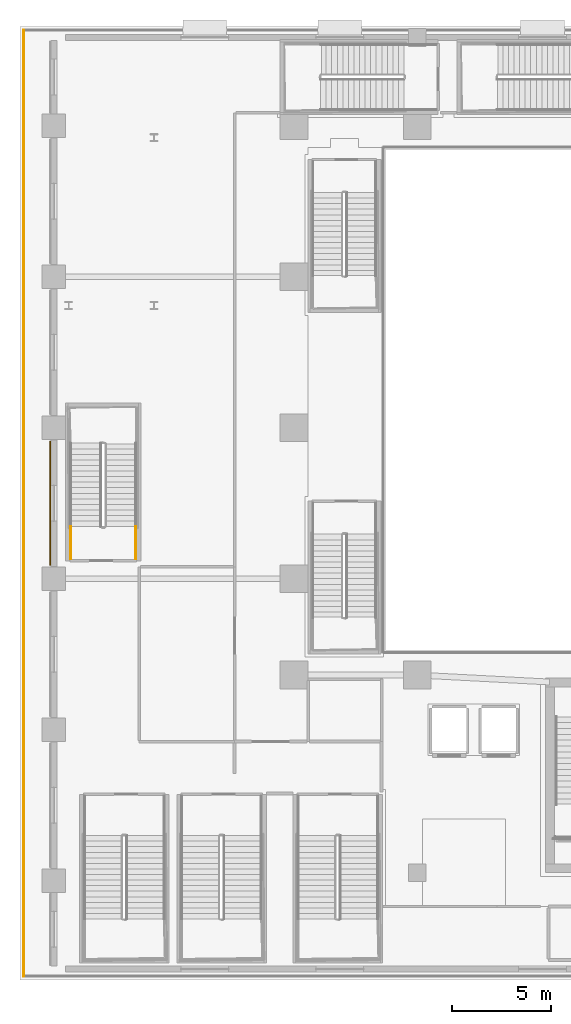
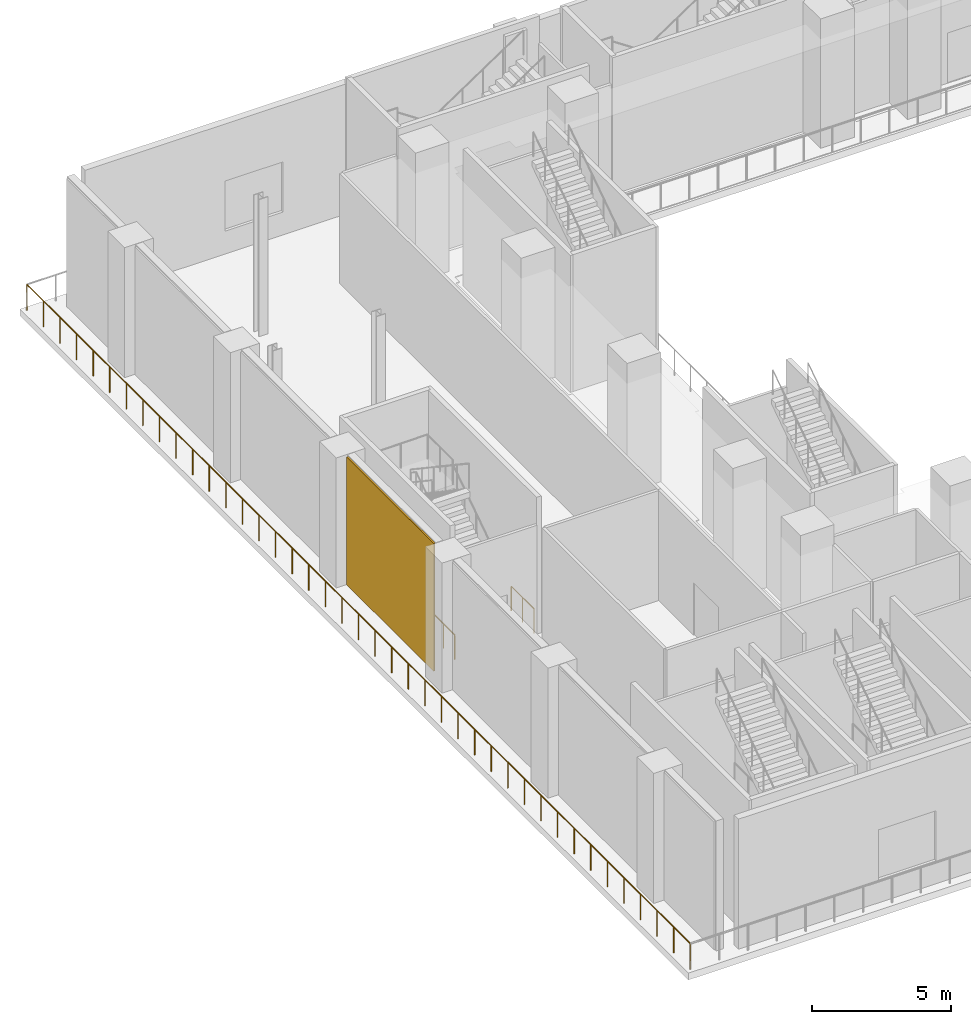
# One storey, part 17 of 29: 3 railings, 1 covering.
"""IFC4 building model written with IfcOpenShell, lengths in metres."""

from ifc_helpers import new_model, si_unit, direction, frame, origin, origin_2d, place, context, subcontext, project, spatial, rectangle, circle, extrude, material, layer, layer_set, type_object, element, save


model = new_model("IFC4")

# Units and contexts
model_context = context("Model", 3, precision=1e-05, world=origin(), true_north=direction((0.0, 1.0)))
body_context = subcontext(model_context, "Body", "Model", "MODEL_VIEW")
ifc_project = project(units=[si_unit("LENGTHUNIT", "METRE"), si_unit("AREAUNIT", "SQUARE_METRE"), si_unit("VOLUMEUNIT", "CUBIC_METRE"), si_unit("PLANEANGLEUNIT", "RADIAN"), si_unit("MASSUNIT", "GRAM", prefix="KILO")], contexts=[model_context])

# Site, building, storey
site_placement = place(None, origin())
site = spatial("IfcSite", under=ifc_project, at=site_placement, CompositionType="ELEMENT")
building_placement = place(site_placement, origin())
building = spatial("IfcBuilding", under=site, at=building_placement, Name="Ndaravel Arena Tower", CompositionType="ELEMENT")
storey_placement = place(building_placement, frame((0.0, 0.0, 12.0)))
storey = spatial("IfcBuildingStorey", under=building, at=storey_placement, Name="L02", CompositionType="ELEMENT", Elevation=12.0)

# Covering
ifc_material_1 = material(Name="Masonry", Category="masonry")
ifc_layer_1 = layer(ifc_material_1, 0.06005859375)
ifc_layer_set_1 = layer_set([ifc_layer_1], Name="Masonry")
covering_type = type_object("IfcCoveringType", Name="COV-STONE-CLAD", PredefinedType="CLADDING", material=ifc_layer_set_1)
covering_placement = place(storey_placement, frame((1.52001953125, 24.0, 0.050048828125), z_axis=(0.0, 0.0, 1.0), x_axis=(1.0, 0.0, 0.0)))
element("IfcCovering", 1, at=covering_placement, inside=storey, type_object=covering_type, Name="L02 Honed Mazeras Ashlar Panel W4", PredefinedType="CLADDING", context=body_context, shape_type="SweptSolid", body=[
    extrude(rectangle(XDim=0.06005859375, YDim=6.260009765625, at=origin_2d()), origin(), (0.0, 0.0, 1.0), 5.60009765625),
])

# Railings
ifc_material_2 = material(Name="Steel S355", Category="steel")
ifc_layer_2 = layer(ifc_material_2, 0.06005859375)
ifc_layer_set_2 = layer_set([ifc_layer_2], Name="Steel S355")
railing_type_1 = type_object("IfcRailingType", Name="RAIL-STAIR-GD1100", PredefinedType="GUARDRAIL", material=ifc_layer_set_2)
for number, where, name in (
    (2, (5.830078125, 21.199951171875, 0.0), "L02 ST-A07 stair guard 5"),
    (3, (2.550048828125, 21.199951171875, 0.0), "L02 ST-A07 stair guard 6"),
):
    element("IfcRailing", number, at=place(storey_placement, frame(where)), inside=storey, type_object=railing_type_1, Name=name, PredefinedType="GUARDRAIL", context=body_context, shape_type="SweptSolid", body=[
        extrude(circle(Radius=0.02392578125, at=origin_2d()), frame((0.0, 0.0, 1.076171875), z_axis=(0.0, 1.0, 0.0), x_axis=(-1.0, 0.0, 0.0)), (0.0, 0.0, 1.0), 1.6201171875),
        extrude(circle(Radius=0.02099609375, at=origin_2d()), origin(), (0.0, 0.0, 1.0), 1.052001953125),
        extrude(circle(Radius=0.02099609375, at=origin_2d()), frame((0.0, 0.81005859375, 0.0)), (0.0, 0.0, 1.0), 1.052001953125),
        extrude(circle(Radius=0.02099609375, at=origin_2d()), frame((0.0, 1.6201171875, 0.0)), (0.0, 0.0, 1.0), 1.052001953125),
    ])
ifc_material_3 = material(Name="Glazing", Category="glass")
ifc_layer_3 = layer(ifc_material_3, 0.070068359375)
ifc_layer_set_3 = layer_set([ifc_layer_3], Name="Glazing")
railing_type_2 = type_object("IfcRailingType", Name="RAIL-TERRACE-1150", PredefinedType="BALUSTRADE", material=ifc_layer_set_3)
railing_placement = place(storey_placement, frame((0.179931640625, 47.820068359375, 0.0)))
element("IfcRailing", 4, at=railing_placement, inside=storey, type_object=railing_type_2, Name="L02 Podium Perimeter Edge Guard 4", PredefinedType="BALUSTRADE", context=body_context, shape_type="SweptSolid", body=[
    extrude(circle(Radius=0.02392578125, at=origin_2d()), frame((0.0, 0.0, 1.1259765625), z_axis=(0.0, -1.0, 0.0), x_axis=(1.0, 0.0, 0.0)), (0.0, 0.0, 1.0), 47.64013671875),
    extrude(circle(Radius=0.02099609375, at=origin_2d()), origin(), (0.0, 0.0, 1.0), 1.101806640625),
    extrude(circle(Radius=0.02099609375, at=origin_2d()), frame((0.0, -1.19091796875, 0.0)), (0.0, 0.0, 1.0), 1.101806640625),
    extrude(circle(Radius=0.02099609375, at=origin_2d()), frame((0.0, -2.382080078125, 0.0)), (0.0, 0.0, 1.0), 1.101806640625),
    extrude(circle(Radius=0.02099609375, at=origin_2d()), frame((0.0, -3.572998046875, 0.0)), (0.0, 0.0, 1.0), 1.101806640625),
    extrude(circle(Radius=0.02099609375, at=origin_2d()), frame((0.0, -4.763916015625, 0.0)), (0.0, 0.0, 1.0), 1.101806640625),
    extrude(circle(Radius=0.02099609375, at=origin_2d()), frame((0.0, -5.955078125, 0.0)), (0.0, 0.0, 1.0), 1.101806640625),
    extrude(circle(Radius=0.02099609375, at=origin_2d()), frame((0.0, -7.14599609375, 0.0)), (0.0, 0.0, 1.0), 1.101806640625),
    extrude(circle(Radius=0.02099609375, at=origin_2d()), frame((0.0, -8.3369140625, 0.0)), (0.0, 0.0, 1.0), 1.101806640625),
    extrude(circle(Radius=0.02099609375, at=origin_2d()), frame((0.0, -9.528076171875, 0.0)), (0.0, 0.0, 1.0), 1.101806640625),
    extrude(circle(Radius=0.02099609375, at=origin_2d()), frame((0.0, -10.718994140625, 0.0)), (0.0, 0.0, 1.0), 1.101806640625),
    extrude(circle(Radius=0.02099609375, at=origin_2d()), frame((0.0, -11.91015625, 0.0)), (0.0, 0.0, 1.0), 1.101806640625),
    extrude(circle(Radius=0.02099609375, at=origin_2d()), frame((0.0, -13.10107421875, 0.0)), (0.0, 0.0, 1.0), 1.101806640625),
    extrude(circle(Radius=0.02099609375, at=origin_2d()), frame((0.0, -14.2919921875, 0.0)), (0.0, 0.0, 1.0), 1.101806640625),
    extrude(circle(Radius=0.02099609375, at=origin_2d()), frame((0.0, -15.483154296875, 0.0)), (0.0, 0.0, 1.0), 1.101806640625),
    extrude(circle(Radius=0.02099609375, at=origin_2d()), frame((0.0, -16.674072265625, 0.0)), (0.0, 0.0, 1.0), 1.101806640625),
    extrude(circle(Radius=0.02099609375, at=origin_2d()), frame((0.0, -17.864990234375, 0.0)), (0.0, 0.0, 1.0), 1.101806640625),
    extrude(circle(Radius=0.02099609375, at=origin_2d()), frame((0.0, -19.05615234375, 0.0)), (0.0, 0.0, 1.0), 1.101806640625),
    extrude(circle(Radius=0.02099609375, at=origin_2d()), frame((0.0, -20.2470703125, 0.0)), (0.0, 0.0, 1.0), 1.101806640625),
    extrude(circle(Radius=0.02099609375, at=origin_2d()), frame((0.0, -21.43798828125, 0.0)), (0.0, 0.0, 1.0), 1.101806640625),
    extrude(circle(Radius=0.02099609375, at=origin_2d()), frame((0.0, -22.629150390625, 0.0)), (0.0, 0.0, 1.0), 1.101806640625),
    extrude(circle(Radius=0.02099609375, at=origin_2d()), frame((0.0, -23.820068359375, 0.0)), (0.0, 0.0, 1.0), 1.101806640625),
    extrude(circle(Radius=0.02099609375, at=origin_2d()), frame((0.0, -25.010986328125, 0.0)), (0.0, 0.0, 1.0), 1.101806640625),
    extrude(circle(Radius=0.02099609375, at=origin_2d()), frame((0.0, -26.2021484375, 0.0)), (0.0, 0.0, 1.0), 1.101806640625),
    extrude(circle(Radius=0.02099609375, at=origin_2d()), frame((0.0, -27.39306640625, 0.0)), (0.0, 0.0, 1.0), 1.101806640625),
    extrude(circle(Radius=0.02099609375, at=origin_2d()), frame((0.0, -28.583984375, 0.0)), (0.0, 0.0, 1.0), 1.101806640625),
    extrude(circle(Radius=0.02099609375, at=origin_2d()), frame((0.0, -29.775146484375, 0.0)), (0.0, 0.0, 1.0), 1.101806640625),
    extrude(circle(Radius=0.02099609375, at=origin_2d()), frame((0.0, -30.966064453125, 0.0)), (0.0, 0.0, 1.0), 1.101806640625),
    extrude(circle(Radius=0.02099609375, at=origin_2d()), frame((0.0, -32.156982421875, 0.0)), (0.0, 0.0, 1.0), 1.101806640625),
    extrude(circle(Radius=0.02099609375, at=origin_2d()), frame((0.0, -33.34814453125, 0.0)), (0.0, 0.0, 1.0), 1.101806640625),
    extrude(circle(Radius=0.02099609375, at=origin_2d()), frame((0.0, -34.5390625, 0.0)), (0.0, 0.0, 1.0), 1.101806640625),
    extrude(circle(Radius=0.02099609375, at=origin_2d()), frame((0.0, -35.72998046875, 0.0)), (0.0, 0.0, 1.0), 1.101806640625),
    extrude(circle(Radius=0.02099609375, at=origin_2d()), frame((0.0, -36.921142578125, 0.0)), (0.0, 0.0, 1.0), 1.101806640625),
    extrude(circle(Radius=0.02099609375, at=origin_2d()), frame((0.0, -38.112060546875, 0.0)), (0.0, 0.0, 1.0), 1.101806640625),
    extrude(circle(Radius=0.02099609375, at=origin_2d()), frame((0.0, -39.30322265625, 0.0)), (0.0, 0.0, 1.0), 1.101806640625),
    extrude(circle(Radius=0.02099609375, at=origin_2d()), frame((0.0, -40.494140625, 0.0)), (0.0, 0.0, 1.0), 1.101806640625),
    extrude(circle(Radius=0.02099609375, at=origin_2d()), frame((0.0, -41.68505859375, 0.0)), (0.0, 0.0, 1.0), 1.101806640625),
    extrude(circle(Radius=0.02099609375, at=origin_2d()), frame((0.0, -42.876220703125, 0.0)), (0.0, 0.0, 1.0), 1.101806640625),
    extrude(circle(Radius=0.02099609375, at=origin_2d()), frame((0.0, -44.067138671875, 0.0)), (0.0, 0.0, 1.0), 1.101806640625),
    extrude(circle(Radius=0.02099609375, at=origin_2d()), frame((0.0, -45.258056640625, 0.0)), (0.0, 0.0, 1.0), 1.101806640625),
    extrude(circle(Radius=0.02099609375, at=origin_2d()), frame((0.0, -46.44921875, 0.0)), (0.0, 0.0, 1.0), 1.101806640625),
    extrude(circle(Radius=0.02099609375, at=origin_2d()), frame((0.0, -47.64013671875, 0.0)), (0.0, 0.0, 1.0), 1.101806640625),
])

save(model, "model.ifc")
